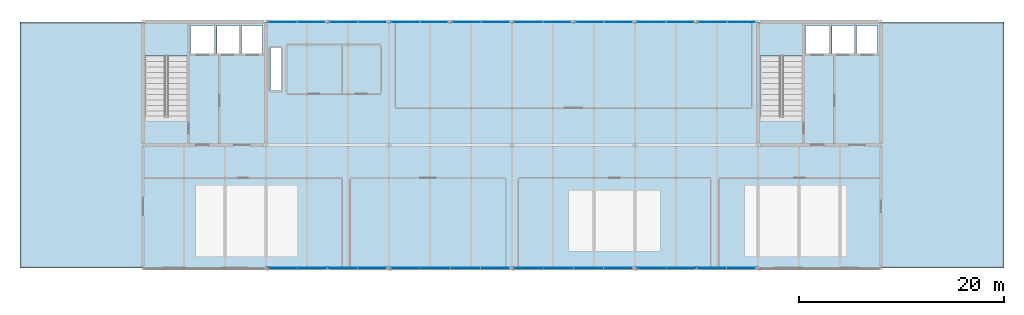
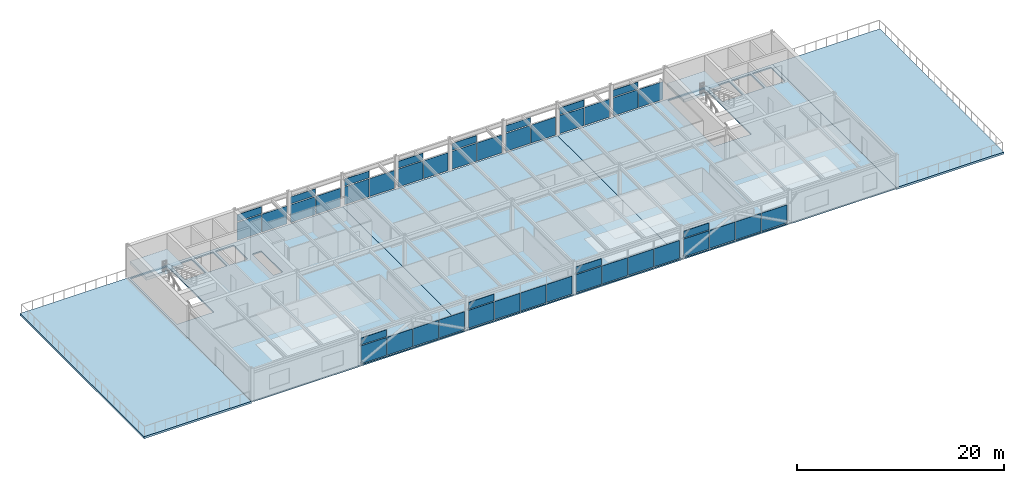
# One storey, part 26 of 32: 44 plates, 7 slabs, 14 elements without a shape of their own.
"""IFC4 building model written with IfcOpenShell, lengths in metres."""

from ifc_helpers import new_model, si_unit, direction, frame, origin, origin_2d, place, context, subcontext, project, spatial, polyline, rectangle, outline, extrude, material, layer, layer_set, type_object, element, aggregate, save


model = new_model("IFC4")

# Units and contexts
model_context = context("Model", 3, precision=1e-05, world=origin(), true_north=direction((0.0, 1.0)))
body_context = subcontext(model_context, "Body", "Model", "MODEL_VIEW")
ifc_project = project(units=[si_unit("LENGTHUNIT", "METRE"), si_unit("AREAUNIT", "SQUARE_METRE"), si_unit("VOLUMEUNIT", "CUBIC_METRE"), si_unit("PLANEANGLEUNIT", "RADIAN"), si_unit("MASSUNIT", "GRAM", prefix="KILO")], contexts=[model_context])

# Site, building, storey
site_placement = place(None, origin())
site = spatial("IfcSite", under=ifc_project, at=site_placement, CompositionType="ELEMENT")
building_placement = place(site_placement, origin())
building = spatial("IfcBuilding", under=site, at=building_placement, Name="Girod Span Mobility Hub", CompositionType="ELEMENT")
storey_placement = place(building_placement, frame((0.0, 0.0, 61.60009765625)))
storey = spatial("IfcBuildingStorey", under=building, at=storey_placement, Name="L15", CompositionType="ELEMENT", Elevation=61.60009765625)

# Curtain wall, plate
ifc_material_1 = material(Name="Thermally Broken Anodised Aluminium", Category="aluminium")
curtain_wall_type_1 = type_object("IfcCurtainWallType", Name="CW-564X330", PredefinedType="USERDEFINED", material=ifc_material_1)
curtain_wall_1_placement = place(storey_placement, origin())
curtain_wall_1 = element("IfcCurtainWall", 1, at=curtain_wall_1_placement, inside=storey, type_object=curtain_wall_type_1, Name="Unitised Curtain Wall CW-L15-N06W L15", ObjectType="UNITISED CURTAIN WALL", PredefinedType="USERDEFINED")
ifc_material_2 = material(Name="Double Low-E Insulated Glazing", Category="glass")
ifc_layer_1 = layer(ifc_material_2, 0.0380859375)
ifc_layer_set_1 = layer_set([ifc_layer_1], Name="Double Low-E Insulated Glazing")
plate_type_1 = type_object("IfcPlateType", Name="PLT-SPN-2748X843X38", PredefinedType="CURTAIN_PANEL", material=ifc_layer_set_1)
plate_1_placement = place(storey_placement, frame((61.59130859375, 69.0, 2.373046875), z_axis=(0.0, 0.0, 1.0), x_axis=(1.0, 0.0, 0.0)))
plate_1 = element("IfcPlate", 2, at=plate_1_placement, type_object=plate_type_1, Name="Spandrel Glazing Panel CW-L15-N06W-S1", PredefinedType="CURTAIN_PANEL", context=body_context, shape_type="SweptSolid", body=[
    extrude(rectangle(XDim=2.75341796875, YDim=0.0380859375, at=origin_2d()), origin(), (0.0, 0.0, 1.0), 0.802978515625),
])

curtain_wall_2_placement = place(storey_placement, origin())
curtain_wall_2 = element("IfcCurtainWall", 3, at=curtain_wall_2_placement, inside=storey, type_object=curtain_wall_type_1, Name="Unitised Curtain Wall CW-L15-N06E L15", ObjectType="UNITISED CURTAIN WALL", PredefinedType="USERDEFINED")
plate_2_placement = place(storey_placement, frame((67.59130859375, 69.0, 2.373046875), z_axis=(0.0, 0.0, 1.0), x_axis=(1.0, 0.0, 0.0)))
plate_2 = element("IfcPlate", 4, at=plate_2_placement, type_object=plate_type_1, Name="Spandrel Glazing Panel CW-L15-N06E-S1", PredefinedType="CURTAIN_PANEL", context=body_context, shape_type="SweptSolid", body=[
    extrude(rectangle(XDim=2.75341796875, YDim=0.0380859375, at=origin_2d()), origin(), (0.0, 0.0, 1.0), 0.802978515625),
])

curtain_wall_3_placement = place(storey_placement, origin())
curtain_wall_3 = element("IfcCurtainWall", 5, at=curtain_wall_3_placement, inside=storey, type_object=curtain_wall_type_1, Name="Unitised Curtain Wall CW-L15-N07W L15", ObjectType="UNITISED CURTAIN WALL", PredefinedType="USERDEFINED")
plate_3_placement = place(storey_placement, frame((73.59130859375, 69.0, 2.373046875), z_axis=(0.0, 0.0, 1.0), x_axis=(1.0, 0.0, 0.0)))
plate_3 = element("IfcPlate", 6, at=plate_3_placement, type_object=plate_type_1, Name="Spandrel Glazing Panel CW-L15-N07W-S1", PredefinedType="CURTAIN_PANEL", context=body_context, shape_type="SweptSolid", body=[
    extrude(rectangle(XDim=2.75341796875, YDim=0.0380859375, at=origin_2d()), origin(), (0.0, 0.0, 1.0), 0.802978515625),
])

curtain_wall_4_placement = place(storey_placement, origin())
curtain_wall_4 = element("IfcCurtainWall", 7, at=curtain_wall_4_placement, inside=storey, type_object=curtain_wall_type_1, Name="Unitised Curtain Wall CW-L15-N07E L15", ObjectType="UNITISED CURTAIN WALL", PredefinedType="USERDEFINED")
plate_4_placement = place(storey_placement, frame((79.59130859375, 69.0, 2.373046875), z_axis=(0.0, 0.0, 1.0), x_axis=(1.0, 0.0, 0.0)))
plate_4 = element("IfcPlate", 8, at=plate_4_placement, type_object=plate_type_1, Name="Spandrel Glazing Panel CW-L15-N07E-S1", PredefinedType="CURTAIN_PANEL", context=body_context, shape_type="SweptSolid", body=[
    extrude(rectangle(XDim=2.75341796875, YDim=0.0380859375, at=origin_2d()), origin(), (0.0, 0.0, 1.0), 0.802978515625),
])

curtain_wall_5_placement = place(storey_placement, origin())
curtain_wall_5 = element("IfcCurtainWall", 9, at=curtain_wall_5_placement, inside=storey, type_object=curtain_wall_type_1, Name="Unitised Curtain Wall CW-L15-N08W L15", ObjectType="UNITISED CURTAIN WALL", PredefinedType="USERDEFINED")
plate_5_placement = place(storey_placement, frame((85.59130859375, 69.0, 2.373046875), z_axis=(0.0, 0.0, 1.0), x_axis=(1.0, 0.0, 0.0)))
plate_5 = element("IfcPlate", 10, at=plate_5_placement, type_object=plate_type_1, Name="Spandrel Glazing Panel CW-L15-N08W-S1", PredefinedType="CURTAIN_PANEL", context=body_context, shape_type="SweptSolid", body=[
    extrude(rectangle(XDim=2.75341796875, YDim=0.0380859375, at=origin_2d()), origin(), (0.0, 0.0, 1.0), 0.802978515625),
])

curtain_wall_6_placement = place(storey_placement, origin())
curtain_wall_6 = element("IfcCurtainWall", 11, at=curtain_wall_6_placement, inside=storey, type_object=curtain_wall_type_1, Name="Unitised Curtain Wall CW-L15-N08E L15", ObjectType="UNITISED CURTAIN WALL", PredefinedType="USERDEFINED")
plate_6_placement = place(storey_placement, frame((91.59130859375, 69.0, 2.373046875), z_axis=(0.0, 0.0, 1.0), x_axis=(1.0, 0.0, 0.0)))
plate_6 = element("IfcPlate", 12, at=plate_6_placement, type_object=plate_type_1, Name="Spandrel Glazing Panel CW-L15-N08E-S1", PredefinedType="CURTAIN_PANEL", context=body_context, shape_type="SweptSolid", body=[
    extrude(rectangle(XDim=2.75341796875, YDim=0.0380859375, at=origin_2d()), origin(), (0.0, 0.0, 1.0), 0.802978515625),
])

curtain_wall_7_placement = place(storey_placement, origin())
curtain_wall_7 = element("IfcCurtainWall", 13, at=curtain_wall_7_placement, inside=storey, type_object=curtain_wall_type_1, Name="Unitised Curtain Wall CW-L15-N09W L15", ObjectType="UNITISED CURTAIN WALL", PredefinedType="USERDEFINED")
plate_7_placement = place(storey_placement, frame((97.59130859375, 69.0, 2.373046875), z_axis=(0.0, 0.0, 1.0), x_axis=(1.0, 0.0, 0.0)))
plate_7 = element("IfcPlate", 14, at=plate_7_placement, type_object=plate_type_1, Name="Spandrel Glazing Panel CW-L15-N09W-S1", PredefinedType="CURTAIN_PANEL", context=body_context, shape_type="SweptSolid", body=[
    extrude(rectangle(XDim=2.75341796875, YDim=0.0380859375, at=origin_2d()), origin(), (0.0, 0.0, 1.0), 0.802978515625),
])

curtain_wall_8_placement = place(storey_placement, origin())
curtain_wall_8 = element("IfcCurtainWall", 15, at=curtain_wall_8_placement, inside=storey, type_object=curtain_wall_type_1, Name="Unitised Curtain Wall CW-L15-N09E L15", ObjectType="UNITISED CURTAIN WALL", PredefinedType="USERDEFINED")
plate_8_placement = place(storey_placement, frame((103.59130859375, 69.0, 2.373046875), z_axis=(0.0, 0.0, 1.0), x_axis=(1.0, 0.0, 0.0)))
plate_8 = element("IfcPlate", 16, at=plate_8_placement, type_object=plate_type_1, Name="Spandrel Glazing Panel CW-L15-N09E-S1", PredefinedType="CURTAIN_PANEL", context=body_context, shape_type="SweptSolid", body=[
    extrude(rectangle(XDim=2.75341796875, YDim=0.0380859375, at=origin_2d()), origin(), (0.0, 0.0, 1.0), 0.802978515625),
])

ifc_material_3 = material(Name="Thermally Broken Anodised Aluminium", Category="aluminium")
curtain_wall_type_2 = type_object("IfcCurtainWallType", Name="CW-1164X330", PredefinedType="USERDEFINED", material=ifc_material_3)
curtain_wall_9_placement = place(storey_placement, origin())
curtain_wall_9 = element("IfcCurtainWall", 17, at=curtain_wall_9_placement, inside=storey, type_object=curtain_wall_type_2, Name="Unitised Curtain Wall CW-L15-S06 L15", ObjectType="UNITISED CURTAIN WALL", PredefinedType="USERDEFINED")
ifc_material_4 = material(Name="Double Low-E Insulated Glazing", Category="glass")
ifc_layer_2 = layer(ifc_material_4, 0.0380859375)
ifc_layer_set_2 = layer_set([ifc_layer_2], Name="Double Low-E Insulated Glazing")
plate_type_2 = type_object("IfcPlateType", Name="PLT-SPN-2839X843X38", PredefinedType="CURTAIN_PANEL", material=ifc_layer_set_2)
plate_9_placement = place(storey_placement, frame((61.636962890625, 45.0, 2.373046875), z_axis=(0.0, 0.0, 1.0), x_axis=(1.0, 0.0, 0.0)))
plate_9 = element("IfcPlate", 18, at=plate_9_placement, type_object=plate_type_2, Name="Spandrel Glazing Panel CW-L15-S06-S1", PredefinedType="CURTAIN_PANEL", context=body_context, shape_type="SweptSolid", body=[
    extrude(rectangle(XDim=2.8447265625, YDim=0.0380859375, at=origin_2d()), origin(), (0.0, 0.0, 1.0), 0.802978515625),
])

curtain_wall_10_placement = place(storey_placement, origin())
curtain_wall_10 = element("IfcCurtainWall", 19, at=curtain_wall_10_placement, inside=storey, type_object=curtain_wall_type_2, Name="Unitised Curtain Wall CW-L15-S07 L15", ObjectType="UNITISED CURTAIN WALL", PredefinedType="USERDEFINED")
plate_10_placement = place(storey_placement, frame((73.636962890625, 45.0, 2.373046875), z_axis=(0.0, 0.0, 1.0), x_axis=(1.0, 0.0, 0.0)))
plate_10 = element("IfcPlate", 20, at=plate_10_placement, type_object=plate_type_2, Name="Spandrel Glazing Panel CW-L15-S07-S1", PredefinedType="CURTAIN_PANEL", context=body_context, shape_type="SweptSolid", body=[
    extrude(rectangle(XDim=2.8447265625, YDim=0.0380859375, at=origin_2d()), origin(), (0.0, 0.0, 1.0), 0.802978515625),
])

curtain_wall_11_placement = place(storey_placement, origin())
curtain_wall_11 = element("IfcCurtainWall", 21, at=curtain_wall_11_placement, inside=storey, type_object=curtain_wall_type_2, Name="Unitised Curtain Wall CW-L15-S08 L15", ObjectType="UNITISED CURTAIN WALL", PredefinedType="USERDEFINED")
plate_11_placement = place(storey_placement, frame((85.636962890625, 45.0, 2.373046875), z_axis=(0.0, 0.0, 1.0), x_axis=(1.0, 0.0, 0.0)))
plate_11 = element("IfcPlate", 22, at=plate_11_placement, type_object=plate_type_2, Name="Spandrel Glazing Panel CW-L15-S08-S1", PredefinedType="CURTAIN_PANEL", context=body_context, shape_type="SweptSolid", body=[
    extrude(rectangle(XDim=2.8447265625, YDim=0.0380859375, at=origin_2d()), origin(), (0.0, 0.0, 1.0), 0.802978515625),
])

curtain_wall_12_placement = place(storey_placement, origin())
curtain_wall_12 = element("IfcCurtainWall", 23, at=curtain_wall_12_placement, inside=storey, type_object=curtain_wall_type_2, Name="Unitised Curtain Wall CW-L15-S09 L15", ObjectType="UNITISED CURTAIN WALL", PredefinedType="USERDEFINED")
plate_12_placement = place(storey_placement, frame((97.636962890625, 45.0, 2.373046875), z_axis=(0.0, 0.0, 1.0), x_axis=(1.0, 0.0, 0.0)))
plate_12 = element("IfcPlate", 24, at=plate_12_placement, type_object=plate_type_2, Name="Spandrel Glazing Panel CW-L15-S09-S1", PredefinedType="CURTAIN_PANEL", context=body_context, shape_type="SweptSolid", body=[
    extrude(rectangle(XDim=2.8447265625, YDim=0.0380859375, at=origin_2d()), origin(), (0.0, 0.0, 1.0), 0.802978515625),
])

# Plate
ifc_material_5 = material(Name="Double Low-E Insulated Glazing", Category="glass")
ifc_layer_3 = layer(ifc_material_5, 0.02587890625)
ifc_layer_set_3 = layer_set([ifc_layer_3], Name="Double Low-E Insulated Glazing")
plate_type_3 = type_object("IfcPlateType", Name="PLT-VIS-2748X2373X26", PredefinedType="CURTAIN_PANEL", material=ifc_layer_set_3)
plate_13_placement = place(storey_placement, frame((61.59130859375, 69.0, 0.14013671875), z_axis=(0.0, 0.0, 1.0), x_axis=(1.0, 0.0, 0.0)))
plate_13 = element("IfcPlate", 25, at=plate_13_placement, type_object=plate_type_3, Name="Vision Glazing Panel CW-L15-N06W-V1", PredefinedType="CURTAIN_PANEL", context=body_context, shape_type="SweptSolid", body=[
    extrude(rectangle(XDim=2.75341796875, YDim=0.02587890625, at=origin_2d()), origin(), (0.0, 0.0, 1.0), 2.113037109375),
])

plate_14_placement = place(storey_placement, frame((64.40869140625, 69.0, 0.14013671875), z_axis=(0.0, 0.0, 1.0), x_axis=(1.0, 0.0, 0.0)))
plate_14 = element("IfcPlate", 26, at=plate_14_placement, type_object=plate_type_3, Name="Vision Glazing Panel CW-L15-N06W-V2", PredefinedType="CURTAIN_PANEL", context=body_context, shape_type="SweptSolid", body=[
    extrude(rectangle(XDim=2.75341796875, YDim=0.02587890625, at=origin_2d()), origin(), (0.0, 0.0, 1.0), 2.113037109375),
])

aggregate(curtain_wall_1, [plate_13, plate_1, plate_14])

plate_15_placement = place(storey_placement, frame((67.59130859375, 69.0, 0.14013671875), z_axis=(0.0, 0.0, 1.0), x_axis=(1.0, 0.0, 0.0)))
plate_15 = element("IfcPlate", 27, at=plate_15_placement, type_object=plate_type_3, Name="Vision Glazing Panel CW-L15-N06E-V1", PredefinedType="CURTAIN_PANEL", context=body_context, shape_type="SweptSolid", body=[
    extrude(rectangle(XDim=2.75341796875, YDim=0.02587890625, at=origin_2d()), origin(), (0.0, 0.0, 1.0), 2.113037109375),
])

plate_16_placement = place(storey_placement, frame((70.40869140625, 69.0, 0.14013671875), z_axis=(0.0, 0.0, 1.0), x_axis=(1.0, 0.0, 0.0)))
plate_16 = element("IfcPlate", 28, at=plate_16_placement, type_object=plate_type_3, Name="Vision Glazing Panel CW-L15-N06E-V2", PredefinedType="CURTAIN_PANEL", context=body_context, shape_type="SweptSolid", body=[
    extrude(rectangle(XDim=2.75341796875, YDim=0.02587890625, at=origin_2d()), origin(), (0.0, 0.0, 1.0), 2.113037109375),
])

aggregate(curtain_wall_2, [plate_15, plate_2, plate_16])

plate_17_placement = place(storey_placement, frame((73.59130859375, 69.0, 0.14013671875), z_axis=(0.0, 0.0, 1.0), x_axis=(1.0, 0.0, 0.0)))
plate_17 = element("IfcPlate", 29, at=plate_17_placement, type_object=plate_type_3, Name="Vision Glazing Panel CW-L15-N07W-V1", PredefinedType="CURTAIN_PANEL", context=body_context, shape_type="SweptSolid", body=[
    extrude(rectangle(XDim=2.75341796875, YDim=0.02587890625, at=origin_2d()), origin(), (0.0, 0.0, 1.0), 2.113037109375),
])

plate_18_placement = place(storey_placement, frame((76.40869140625, 69.0, 0.14013671875), z_axis=(0.0, 0.0, 1.0), x_axis=(1.0, 0.0, 0.0)))
plate_18 = element("IfcPlate", 30, at=plate_18_placement, type_object=plate_type_3, Name="Vision Glazing Panel CW-L15-N07W-V2", PredefinedType="CURTAIN_PANEL", context=body_context, shape_type="SweptSolid", body=[
    extrude(rectangle(XDim=2.75341796875, YDim=0.02587890625, at=origin_2d()), origin(), (0.0, 0.0, 1.0), 2.113037109375),
])

aggregate(curtain_wall_3, [plate_17, plate_3, plate_18])

plate_19_placement = place(storey_placement, frame((79.59130859375, 69.0, 0.14013671875), z_axis=(0.0, 0.0, 1.0), x_axis=(1.0, 0.0, 0.0)))
plate_19 = element("IfcPlate", 31, at=plate_19_placement, type_object=plate_type_3, Name="Vision Glazing Panel CW-L15-N07E-V1", PredefinedType="CURTAIN_PANEL", context=body_context, shape_type="SweptSolid", body=[
    extrude(rectangle(XDim=2.75341796875, YDim=0.02587890625, at=origin_2d()), origin(), (0.0, 0.0, 1.0), 2.113037109375),
])

plate_20_placement = place(storey_placement, frame((82.40869140625, 69.0, 0.14013671875), z_axis=(0.0, 0.0, 1.0), x_axis=(1.0, 0.0, 0.0)))
plate_20 = element("IfcPlate", 32, at=plate_20_placement, type_object=plate_type_3, Name="Vision Glazing Panel CW-L15-N07E-V2", PredefinedType="CURTAIN_PANEL", context=body_context, shape_type="SweptSolid", body=[
    extrude(rectangle(XDim=2.75341796875, YDim=0.02587890625, at=origin_2d()), origin(), (0.0, 0.0, 1.0), 2.113037109375),
])

aggregate(curtain_wall_4, [plate_19, plate_4, plate_20])

plate_21_placement = place(storey_placement, frame((85.59130859375, 69.0, 0.14013671875), z_axis=(0.0, 0.0, 1.0), x_axis=(1.0, 0.0, 0.0)))
plate_21 = element("IfcPlate", 33, at=plate_21_placement, type_object=plate_type_3, Name="Vision Glazing Panel CW-L15-N08W-V1", PredefinedType="CURTAIN_PANEL", context=body_context, shape_type="SweptSolid", body=[
    extrude(rectangle(XDim=2.75341796875, YDim=0.02587890625, at=origin_2d()), origin(), (0.0, 0.0, 1.0), 2.113037109375),
])

plate_22_placement = place(storey_placement, frame((88.40869140625, 69.0, 0.14013671875), z_axis=(0.0, 0.0, 1.0), x_axis=(1.0, 0.0, 0.0)))
plate_22 = element("IfcPlate", 34, at=plate_22_placement, type_object=plate_type_3, Name="Vision Glazing Panel CW-L15-N08W-V2", PredefinedType="CURTAIN_PANEL", context=body_context, shape_type="SweptSolid", body=[
    extrude(rectangle(XDim=2.75341796875, YDim=0.02587890625, at=origin_2d()), origin(), (0.0, 0.0, 1.0), 2.113037109375),
])

aggregate(curtain_wall_5, [plate_21, plate_5, plate_22])

plate_23_placement = place(storey_placement, frame((91.59130859375, 69.0, 0.14013671875), z_axis=(0.0, 0.0, 1.0), x_axis=(1.0, 0.0, 0.0)))
plate_23 = element("IfcPlate", 35, at=plate_23_placement, type_object=plate_type_3, Name="Vision Glazing Panel CW-L15-N08E-V1", PredefinedType="CURTAIN_PANEL", context=body_context, shape_type="SweptSolid", body=[
    extrude(rectangle(XDim=2.75341796875, YDim=0.02587890625, at=origin_2d()), origin(), (0.0, 0.0, 1.0), 2.113037109375),
])

plate_24_placement = place(storey_placement, frame((94.40869140625, 69.0, 0.14013671875), z_axis=(0.0, 0.0, 1.0), x_axis=(1.0, 0.0, 0.0)))
plate_24 = element("IfcPlate", 36, at=plate_24_placement, type_object=plate_type_3, Name="Vision Glazing Panel CW-L15-N08E-V2", PredefinedType="CURTAIN_PANEL", context=body_context, shape_type="SweptSolid", body=[
    extrude(rectangle(XDim=2.75341796875, YDim=0.02587890625, at=origin_2d()), origin(), (0.0, 0.0, 1.0), 2.113037109375),
])

aggregate(curtain_wall_6, [plate_23, plate_6, plate_24])

plate_25_placement = place(storey_placement, frame((97.59130859375, 69.0, 0.14013671875), z_axis=(0.0, 0.0, 1.0), x_axis=(1.0, 0.0, 0.0)))
plate_25 = element("IfcPlate", 37, at=plate_25_placement, type_object=plate_type_3, Name="Vision Glazing Panel CW-L15-N09W-V1", PredefinedType="CURTAIN_PANEL", context=body_context, shape_type="SweptSolid", body=[
    extrude(rectangle(XDim=2.75341796875, YDim=0.02587890625, at=origin_2d()), origin(), (0.0, 0.0, 1.0), 2.113037109375),
])

plate_26_placement = place(storey_placement, frame((100.40869140625, 69.0, 0.14013671875), z_axis=(0.0, 0.0, 1.0), x_axis=(1.0, 0.0, 0.0)))
plate_26 = element("IfcPlate", 38, at=plate_26_placement, type_object=plate_type_3, Name="Vision Glazing Panel CW-L15-N09W-V2", PredefinedType="CURTAIN_PANEL", context=body_context, shape_type="SweptSolid", body=[
    extrude(rectangle(XDim=2.75341796875, YDim=0.02587890625, at=origin_2d()), origin(), (0.0, 0.0, 1.0), 2.113037109375),
])

aggregate(curtain_wall_7, [plate_25, plate_7, plate_26])

plate_27_placement = place(storey_placement, frame((103.59130859375, 69.0, 0.14013671875), z_axis=(0.0, 0.0, 1.0), x_axis=(1.0, 0.0, 0.0)))
plate_27 = element("IfcPlate", 39, at=plate_27_placement, type_object=plate_type_3, Name="Vision Glazing Panel CW-L15-N09E-V1", PredefinedType="CURTAIN_PANEL", context=body_context, shape_type="SweptSolid", body=[
    extrude(rectangle(XDim=2.75341796875, YDim=0.02587890625, at=origin_2d()), origin(), (0.0, 0.0, 1.0), 2.113037109375),
])

plate_28_placement = place(storey_placement, frame((106.40869140625, 69.0, 0.14013671875), z_axis=(0.0, 0.0, 1.0), x_axis=(1.0, 0.0, 0.0)))
plate_28 = element("IfcPlate", 40, at=plate_28_placement, type_object=plate_type_3, Name="Vision Glazing Panel CW-L15-N09E-V2", PredefinedType="CURTAIN_PANEL", context=body_context, shape_type="SweptSolid", body=[
    extrude(rectangle(XDim=2.75341796875, YDim=0.02587890625, at=origin_2d()), origin(), (0.0, 0.0, 1.0), 2.113037109375),
])

aggregate(curtain_wall_8, [plate_27, plate_8, plate_28])

ifc_material_6 = material(Name="Double Low-E Insulated Glazing", Category="glass")
ifc_layer_4 = layer(ifc_material_6, 0.02587890625)
ifc_layer_set_4 = layer_set([ifc_layer_4], Name="Double Low-E Insulated Glazing")
plate_type_4 = type_object("IfcPlateType", Name="PLT-VIS-2839X2373X26", PredefinedType="CURTAIN_PANEL", material=ifc_layer_set_4)
plate_29_placement = place(storey_placement, frame((61.636962890625, 45.0, 0.14013671875), z_axis=(0.0, 0.0, 1.0), x_axis=(1.0, 0.0, 0.0)))
plate_29 = element("IfcPlate", 41, at=plate_29_placement, type_object=plate_type_4, Name="Vision Glazing Panel CW-L15-S06-V1", PredefinedType="CURTAIN_PANEL", context=body_context, shape_type="SweptSolid", body=[
    extrude(rectangle(XDim=2.8447265625, YDim=0.02587890625, at=origin_2d()), origin(), (0.0, 0.0, 1.0), 2.113037109375),
])

plate_30_placement = place(storey_placement, frame((64.545654296875, 45.0, 0.14013671875), z_axis=(0.0, 0.0, 1.0), x_axis=(1.0, 0.0, 0.0)))
plate_30 = element("IfcPlate", 42, at=plate_30_placement, type_object=plate_type_4, Name="Vision Glazing Panel CW-L15-S06-V2", PredefinedType="CURTAIN_PANEL", context=body_context, shape_type="SweptSolid", body=[
    extrude(rectangle(XDim=2.8447265625, YDim=0.02587890625, at=origin_2d()), origin(), (0.0, 0.0, 1.0), 2.113037109375),
])

plate_31_placement = place(storey_placement, frame((67.454345703125, 45.0, 0.14013671875), z_axis=(0.0, 0.0, 1.0), x_axis=(1.0, 0.0, 0.0)))
plate_31 = element("IfcPlate", 43, at=plate_31_placement, type_object=plate_type_4, Name="Vision Glazing Panel CW-L15-S06-V3", PredefinedType="CURTAIN_PANEL", context=body_context, shape_type="SweptSolid", body=[
    extrude(rectangle(XDim=2.8447265625, YDim=0.02587890625, at=origin_2d()), origin(), (0.0, 0.0, 1.0), 2.113037109375),
])

plate_32_placement = place(storey_placement, frame((70.363037109375, 45.0, 0.14013671875), z_axis=(0.0, 0.0, 1.0), x_axis=(1.0, 0.0, 0.0)))
plate_32 = element("IfcPlate", 44, at=plate_32_placement, type_object=plate_type_4, Name="Vision Glazing Panel CW-L15-S06-V4", PredefinedType="CURTAIN_PANEL", context=body_context, shape_type="SweptSolid", body=[
    extrude(rectangle(XDim=2.8447265625, YDim=0.02587890625, at=origin_2d()), origin(), (0.0, 0.0, 1.0), 2.113037109375),
])

aggregate(curtain_wall_9, [plate_29, plate_9, plate_30, plate_31, plate_32])

plate_33_placement = place(storey_placement, frame((73.636962890625, 45.0, 0.14013671875), z_axis=(0.0, 0.0, 1.0), x_axis=(1.0, 0.0, 0.0)))
plate_33 = element("IfcPlate", 45, at=plate_33_placement, type_object=plate_type_4, Name="Vision Glazing Panel CW-L15-S07-V1", PredefinedType="CURTAIN_PANEL", context=body_context, shape_type="SweptSolid", body=[
    extrude(rectangle(XDim=2.8447265625, YDim=0.02587890625, at=origin_2d()), origin(), (0.0, 0.0, 1.0), 2.113037109375),
])

plate_34_placement = place(storey_placement, frame((76.545654296875, 45.0, 0.14013671875), z_axis=(0.0, 0.0, 1.0), x_axis=(1.0, 0.0, 0.0)))
plate_34 = element("IfcPlate", 46, at=plate_34_placement, type_object=plate_type_4, Name="Vision Glazing Panel CW-L15-S07-V2", PredefinedType="CURTAIN_PANEL", context=body_context, shape_type="SweptSolid", body=[
    extrude(rectangle(XDim=2.8447265625, YDim=0.02587890625, at=origin_2d()), origin(), (0.0, 0.0, 1.0), 2.113037109375),
])

plate_35_placement = place(storey_placement, frame((79.454345703125, 45.0, 0.14013671875), z_axis=(0.0, 0.0, 1.0), x_axis=(1.0, 0.0, 0.0)))
plate_35 = element("IfcPlate", 47, at=plate_35_placement, type_object=plate_type_4, Name="Vision Glazing Panel CW-L15-S07-V3", PredefinedType="CURTAIN_PANEL", context=body_context, shape_type="SweptSolid", body=[
    extrude(rectangle(XDim=2.8447265625, YDim=0.02587890625, at=origin_2d()), origin(), (0.0, 0.0, 1.0), 2.113037109375),
])

plate_36_placement = place(storey_placement, frame((82.363037109375, 45.0, 0.14013671875), z_axis=(0.0, 0.0, 1.0), x_axis=(1.0, 0.0, 0.0)))
plate_36 = element("IfcPlate", 48, at=plate_36_placement, type_object=plate_type_4, Name="Vision Glazing Panel CW-L15-S07-V4", PredefinedType="CURTAIN_PANEL", context=body_context, shape_type="SweptSolid", body=[
    extrude(rectangle(XDim=2.8447265625, YDim=0.02587890625, at=origin_2d()), origin(), (0.0, 0.0, 1.0), 2.113037109375),
])

aggregate(curtain_wall_10, [plate_33, plate_10, plate_34, plate_35, plate_36])

plate_37_placement = place(storey_placement, frame((85.636962890625, 45.0, 0.14013671875), z_axis=(0.0, 0.0, 1.0), x_axis=(1.0, 0.0, 0.0)))
plate_37 = element("IfcPlate", 49, at=plate_37_placement, type_object=plate_type_4, Name="Vision Glazing Panel CW-L15-S08-V1", PredefinedType="CURTAIN_PANEL", context=body_context, shape_type="SweptSolid", body=[
    extrude(rectangle(XDim=2.8447265625, YDim=0.02587890625, at=origin_2d()), origin(), (0.0, 0.0, 1.0), 2.113037109375),
])

plate_38_placement = place(storey_placement, frame((88.545654296875, 45.0, 0.14013671875), z_axis=(0.0, 0.0, 1.0), x_axis=(1.0, 0.0, 0.0)))
plate_38 = element("IfcPlate", 50, at=plate_38_placement, type_object=plate_type_4, Name="Vision Glazing Panel CW-L15-S08-V2", PredefinedType="CURTAIN_PANEL", context=body_context, shape_type="SweptSolid", body=[
    extrude(rectangle(XDim=2.8447265625, YDim=0.02587890625, at=origin_2d()), origin(), (0.0, 0.0, 1.0), 2.113037109375),
])

plate_39_placement = place(storey_placement, frame((91.454345703125, 45.0, 0.14013671875), z_axis=(0.0, 0.0, 1.0), x_axis=(1.0, 0.0, 0.0)))
plate_39 = element("IfcPlate", 51, at=plate_39_placement, type_object=plate_type_4, Name="Vision Glazing Panel CW-L15-S08-V3", PredefinedType="CURTAIN_PANEL", context=body_context, shape_type="SweptSolid", body=[
    extrude(rectangle(XDim=2.8447265625, YDim=0.02587890625, at=origin_2d()), origin(), (0.0, 0.0, 1.0), 2.113037109375),
])

plate_40_placement = place(storey_placement, frame((94.363037109375, 45.0, 0.14013671875), z_axis=(0.0, 0.0, 1.0), x_axis=(1.0, 0.0, 0.0)))
plate_40 = element("IfcPlate", 52, at=plate_40_placement, type_object=plate_type_4, Name="Vision Glazing Panel CW-L15-S08-V4", PredefinedType="CURTAIN_PANEL", context=body_context, shape_type="SweptSolid", body=[
    extrude(rectangle(XDim=2.8447265625, YDim=0.02587890625, at=origin_2d()), origin(), (0.0, 0.0, 1.0), 2.113037109375),
])

aggregate(curtain_wall_11, [plate_37, plate_11, plate_38, plate_39, plate_40])

plate_41_placement = place(storey_placement, frame((97.636962890625, 45.0, 0.14013671875), z_axis=(0.0, 0.0, 1.0), x_axis=(1.0, 0.0, 0.0)))
plate_41 = element("IfcPlate", 53, at=plate_41_placement, type_object=plate_type_4, Name="Vision Glazing Panel CW-L15-S09-V1", PredefinedType="CURTAIN_PANEL", context=body_context, shape_type="SweptSolid", body=[
    extrude(rectangle(XDim=2.8447265625, YDim=0.02587890625, at=origin_2d()), origin(), (0.0, 0.0, 1.0), 2.113037109375),
])

plate_42_placement = place(storey_placement, frame((100.545654296875, 45.0, 0.14013671875), z_axis=(0.0, 0.0, 1.0), x_axis=(1.0, 0.0, 0.0)))
plate_42 = element("IfcPlate", 54, at=plate_42_placement, type_object=plate_type_4, Name="Vision Glazing Panel CW-L15-S09-V2", PredefinedType="CURTAIN_PANEL", context=body_context, shape_type="SweptSolid", body=[
    extrude(rectangle(XDim=2.8447265625, YDim=0.02587890625, at=origin_2d()), origin(), (0.0, 0.0, 1.0), 2.113037109375),
])

plate_43_placement = place(storey_placement, frame((103.454345703125, 45.0, 0.14013671875), z_axis=(0.0, 0.0, 1.0), x_axis=(1.0, 0.0, 0.0)))
plate_43 = element("IfcPlate", 55, at=plate_43_placement, type_object=plate_type_4, Name="Vision Glazing Panel CW-L15-S09-V3", PredefinedType="CURTAIN_PANEL", context=body_context, shape_type="SweptSolid", body=[
    extrude(rectangle(XDim=2.8447265625, YDim=0.02587890625, at=origin_2d()), origin(), (0.0, 0.0, 1.0), 2.113037109375),
])

plate_44_placement = place(storey_placement, frame((106.363037109375, 45.0, 0.14013671875), z_axis=(0.0, 0.0, 1.0), x_axis=(1.0, 0.0, 0.0)))
plate_44 = element("IfcPlate", 56, at=plate_44_placement, type_object=plate_type_4, Name="Vision Glazing Panel CW-L15-S09-V4", PredefinedType="CURTAIN_PANEL", context=body_context, shape_type="SweptSolid", body=[
    extrude(rectangle(XDim=2.8447265625, YDim=0.02587890625, at=origin_2d()), origin(), (0.0, 0.0, 1.0), 2.113037109375),
])

aggregate(curtain_wall_12, [plate_41, plate_12, plate_42, plate_43, plate_44])

# Slabs
ifc_material_7 = material(Name="Concrete C40/50", Category="concrete")
ifc_layer_5 = layer(ifc_material_7, 0.239990234375)
ifc_layer_set_5 = layer_set([ifc_layer_5], Name="Concrete C40/50")
slab_type_1 = type_object("IfcSlabType", Name="SL-EXT-240", PredefinedType="FLOOR", material=ifc_layer_set_5)
slab_1_placement = place(storey_placement, frame((0.0, 0.0, -0.239990234375)))
element("IfcSlab", 57, at=slab_1_placement, inside=storey, type_object=slab_type_1, Name="West Riverview Sky Terrace", PredefinedType="FLOOR", context=body_context, shape_type="SweptSolid", body=[
    extrude(outline(polyline([(48.0, 45.0), (48.0, 69.0), (36.0, 69.0), (36.0, 45.0), (48.0, 45.0)])), origin(), (0.0, 0.0, 1.0), 0.239990234375),
])
slab_2_placement = place(storey_placement, frame((0.0, 0.0, -0.239990234375)))
element("IfcSlab", 58, at=slab_2_placement, inside=storey, type_object=slab_type_1, Name="East Exposition Sky Terrace", PredefinedType="FLOOR", context=body_context, shape_type="SweptSolid", body=[
    extrude(outline(polyline([(132.0, 45.0), (132.0, 69.0), (120.0, 69.0), (120.0, 45.0), (132.0, 45.0)])), origin(), (0.0, 0.0, 1.0), 0.239990234375),
])
ifc_material_8 = material(Name="Concrete C40/50", Category="concrete")
ifc_layer_6 = layer(ifc_material_8, 0.14990234375)
ifc_layer_set_6 = layer_set([ifc_layer_6], Name="Concrete C40/50")
slab_type_2 = type_object("IfcSlabType", Name="SL-FLR-150", PredefinedType="FLOOR", material=ifc_layer_set_6)
slab_3_placement = place(storey_placement, frame((0.0, 0.0, -0.150146484375)))
element("IfcSlab", 59, at=slab_3_placement, inside=storey, type_object=slab_type_2, Name="Floor Slab L15 Sector W", PredefinedType="FLOOR", context=body_context, shape_type="SweptSolid", body=[
    extrude(outline(polyline([(48.0, 69.0), (72.0, 69.0), (72.0, 45.0), (48.0, 45.0), (48.0, 69.0)]), holes=[polyline([(48.219970703125, 59.8349609375), (52.340087890625, 59.8349609375), (52.340087890625, 68.820068359375), (48.219970703125, 68.820068359375), (48.219970703125, 59.8349609375)]), polyline([(60.449951171875, 62.35009765625), (61.47998046875, 62.35009765625), (61.47998046875, 66.449951171875), (60.449951171875, 66.449951171875), (60.449951171875, 62.35009765625)]), polyline([(52.64990234375, 65.949951171875), (54.949951171875, 65.949951171875), (54.949951171875, 68.64990234375), (52.64990234375, 68.64990234375), (52.64990234375, 65.949951171875)]), polyline([(55.199951171875, 65.949951171875), (57.35009765625, 65.949951171875), (57.35009765625, 68.64990234375), (55.199951171875, 68.64990234375), (55.199951171875, 65.949951171875)]), polyline([(57.60009765625, 65.949951171875), (59.64990234375, 65.949951171875), (59.64990234375, 68.64990234375), (57.60009765625, 68.64990234375), (57.60009765625, 65.949951171875)])]), origin(), (0.0, 0.0, 1.0), 0.150146484375),
])
slab_4_placement = place(storey_placement, frame((0.0, 0.0, -0.150146484375)))
element("IfcSlab", 60, at=slab_4_placement, inside=storey, type_object=slab_type_2, Name="Floor Slab L15 Sector C", PredefinedType="FLOOR", context=body_context, shape_type="SweptSolid", body=[
    extrude(outline(polyline([(96.0, 69.0), (96.0, 45.0), (72.0, 45.0), (72.0, 69.0), (96.0, 69.0)])), origin(), (0.0, 0.0, 1.0), 0.150146484375),
])
slab_5_placement = place(storey_placement, frame((0.0, 0.0, -0.150146484375)))
element("IfcSlab", 61, at=slab_5_placement, inside=storey, type_object=slab_type_2, Name="Floor Slab L15 Sector E", PredefinedType="FLOOR", context=body_context, shape_type="SweptSolid", body=[
    extrude(outline(polyline([(120.0, 69.0), (120.0, 45.0), (96.0, 45.0), (96.0, 69.0), (120.0, 69.0)]), holes=[polyline([(108.219970703125, 59.8349609375), (112.340087890625, 59.8349609375), (112.340087890625, 68.820068359375), (108.219970703125, 68.820068359375), (108.219970703125, 59.8349609375)]), polyline([(112.64990234375, 65.949951171875), (114.949951171875, 65.949951171875), (114.949951171875, 68.64990234375), (112.64990234375, 68.64990234375), (112.64990234375, 65.949951171875)]), polyline([(115.199951171875, 68.64990234375), (115.199951171875, 65.949951171875), (117.35009765625, 65.949951171875), (117.35009765625, 68.64990234375), (115.199951171875, 68.64990234375)]), polyline([(117.60009765625, 68.64990234375), (117.60009765625, 65.949951171875), (119.64990234375, 65.949951171875), (119.64990234375, 68.64990234375), (117.60009765625, 68.64990234375)])]), origin(), (0.0, 0.0, 1.0), 0.150146484375),
])

# Stair, slab
ifc_material_9 = material(Name="Concrete C40/50", Category="concrete")
stair_type = type_object("IfcStairType", Name="STR-4000-W1860", PredefinedType="HALF_TURN_STAIR", material=ifc_material_9)
stair_1_placement = place(storey_placement, origin())
stair_1 = element("IfcStair", 62, at=stair_1_placement, inside=storey, type_object=stair_type, Name="Exit Stair ST-1 L15", PredefinedType="HALF_TURN_STAIR")
ifc_material_10 = material(Name="Concrete C40/50", Category="concrete")
ifc_layer_7 = layer(ifc_material_10, 0.35498046875)
ifc_layer_set_7 = layer_set([ifc_layer_7], Name="Concrete C40/50")
slab_type_3 = type_object("IfcSlabType", Name="SL-LND-355", PredefinedType="LANDING", material=ifc_layer_set_7)
slab_6_placement = place(storey_placement, frame((0.0, 0.0, 1.64501953125)))
slab_6 = element("IfcSlab", 63, at=slab_6_placement, type_object=slab_type_3, Name="Stair ST-1 Half-Landing L15", PredefinedType="LANDING", context=body_context, shape_type="SweptSolid", body=[
    extrude(outline(polyline([(52.3349609375, 65.68603515625), (52.3349609375, 68.8349609375), (48.1650390625, 68.8349609375), (48.1650390625, 65.68603515625), (52.3349609375, 65.68603515625)])), origin(), (0.0, 0.0, 1.0), 0.35498046875),
])
aggregate(stair_1, [slab_6])

stair_2_placement = place(storey_placement, origin())
stair_2 = element("IfcStair", 64, at=stair_2_placement, inside=storey, type_object=stair_type, Name="Exit Stair ST-2 L15", PredefinedType="HALF_TURN_STAIR")
slab_7_placement = place(storey_placement, frame((0.0, 0.0, 1.64501953125)))
slab_7 = element("IfcSlab", 65, at=slab_7_placement, type_object=slab_type_3, Name="Stair ST-2 Half-Landing L15", PredefinedType="LANDING", context=body_context, shape_type="SweptSolid", body=[
    extrude(outline(polyline([(112.3349609375, 65.68603515625), (112.3349609375, 68.8349609375), (108.1650390625, 68.8349609375), (108.1650390625, 65.68603515625), (112.3349609375, 65.68603515625)])), origin(), (0.0, 0.0, 1.0), 0.35498046875),
])
aggregate(stair_2, [slab_7])

save(model, "model.ifc")
